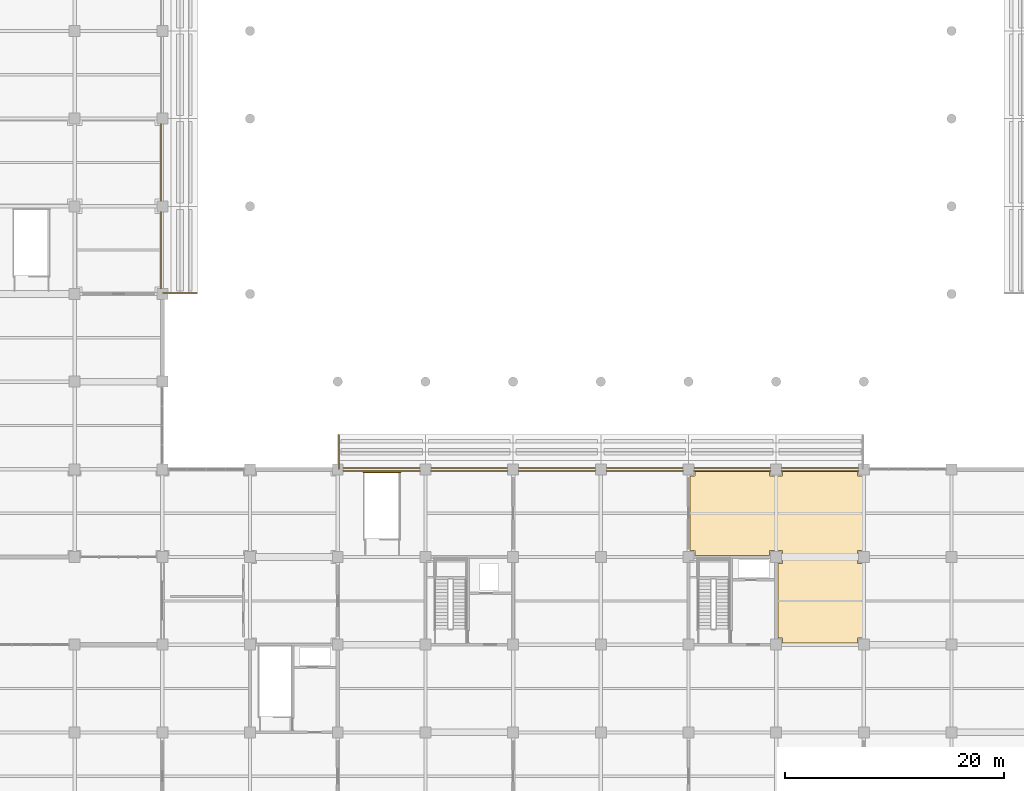
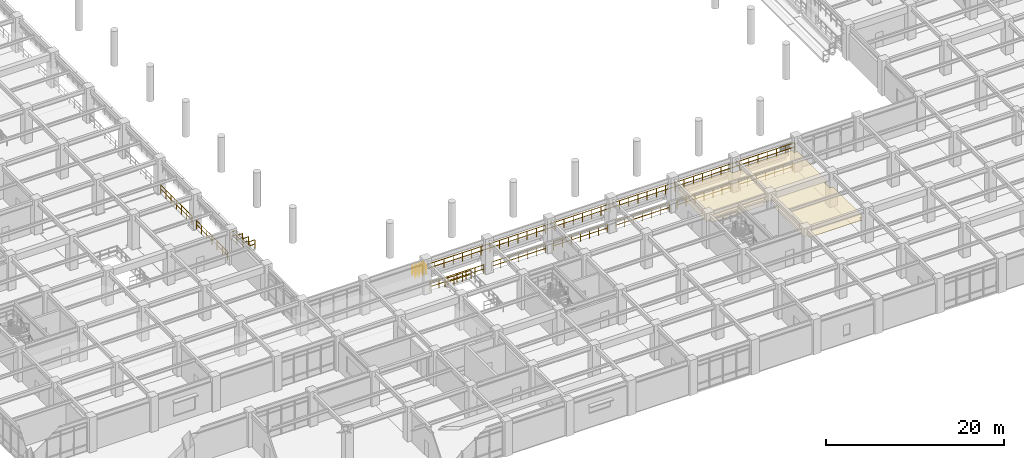
# One storey, part 101 of 117: 18 railings, 1 covering.
"""IFC4 building model written with IfcOpenShell, lengths in metres."""

from ifc_helpers import new_model, si_unit, direction, frame, origin, origin_2d, place, context, subcontext, project, spatial, polyline, circle, outline, extrude, material, layer, layer_set, type_object, element, save


model = new_model("IFC4")

# Units and contexts
model_context = context("Model", 3, precision=1e-05, world=origin(), true_north=direction((0.0, 1.0)))
body_context = subcontext(model_context, "Body", "Model", "MODEL_VIEW")
ifc_project = project(units=[si_unit("LENGTHUNIT", "METRE"), si_unit("AREAUNIT", "SQUARE_METRE"), si_unit("VOLUMEUNIT", "CUBIC_METRE"), si_unit("PLANEANGLEUNIT", "RADIAN"), si_unit("MASSUNIT", "GRAM", prefix="KILO")], contexts=[model_context])

# Site, building, storey
site_placement = place(None, origin())
site = spatial("IfcSite", under=ifc_project, at=site_placement, CompositionType="ELEMENT")
building_placement = place(site_placement, origin())
building = spatial("IfcBuilding", under=site, at=building_placement, Name="Haebicheon Civic Stadium", CompositionType="ELEMENT")
storey_placement = place(building_placement, frame((0.0, 0.0, 4.800048828125)))
storey = spatial("IfcBuildingStorey", under=building, at=storey_placement, Name="L02", CompositionType="ELEMENT", Elevation=4.800048828125)

# Covering
ifc_material_1 = material(Name="Perforated mineral-fibre acoustic board", Category="gypsum")
ifc_layer = layer(ifc_material_1, 0.0400390625, Name="Perforated mineral-fibre acoustic board")
ifc_layer_set = layer_set([ifc_layer], Name="Perforated mineral-fibre acoustic board")
covering_type = type_object("IfcCoveringType", Name="COV-CLG-AC", PredefinedType="CEILING", material=ifc_layer_set)
covering_placement = place(storey_placement, frame((0.0, 0.0, 2.81005859375)))
element("IfcCovering", 1, at=covering_placement, inside=storey, type_object=covering_type, material=ifc_layer_set, Name="L02 Food and Beverage Kiosk acoustic ceiling", PredefinedType="CEILING", context=body_context, shape_type="SweptSolid", body=[
    extrude(outline(polyline([(120.594970703125, 16.14501953125), (120.594970703125, 16.594970703125), (120.14501953125, 16.594970703125), (120.14501953125, 23.405029296875), (120.594970703125, 23.405029296875), (120.594970703125, 24.594970703125), (119.405029296875, 24.594970703125), (119.405029296875, 24.14501953125), (112.594970703125, 24.14501953125), (112.594970703125, 24.594970703125), (112.14501953125, 24.594970703125), (112.14501953125, 31.405029296875), (112.594970703125, 31.405029296875), (112.594970703125, 31.85498046875), (119.405029296875, 31.85498046875), (119.405029296875, 31.405029296875), (120.594970703125, 31.405029296875), (120.594970703125, 31.85498046875), (127.405029296875, 31.85498046875), (127.405029296875, 31.405029296875), (127.85498046875, 31.405029296875), (127.85498046875, 24.594970703125), (127.405029296875, 24.594970703125), (127.405029296875, 23.405029296875), (127.85498046875, 23.405029296875), (127.85498046875, 16.594970703125), (127.405029296875, 16.594970703125), (127.405029296875, 16.14501953125), (120.594970703125, 16.14501953125)])), origin(), (0.0, 0.0, 1.0), 0.039794921875),
])

# Railings
ifc_material_2 = material(Name="Stainless steel 316 and laminated glass", Category="steel")
railing_type_1 = type_object("IfcRailingType", Name="RL-BAL-1200", PredefinedType="BALUSTRADE", material=ifc_material_2)
for number, where, name in (
    (2, (63.860107421875, 48.5, 0.0), "L02 concourse bowl-edge balustrade 001"),
    (3, (63.860107421875, 56.5, 0.0), "L02 concourse bowl-edge balustrade 002"),
):
    element("IfcRailing", number, at=place(storey_placement, frame(where)), inside=storey, type_object=railing_type_1, material=ifc_material_2, Name=name, PredefinedType="BALUSTRADE", context=body_context, shape_type="SweptSolid", body=[
        extrude(circle(Radius=0.02392578125, at=origin_2d()), frame((0.0, 0.0, 1.17578125), z_axis=(0.0, 1.0, 0.0), x_axis=(-1.0, 0.0, 0.0)), (0.0, 0.0, 1.0), 7.0),
        extrude(circle(Radius=0.02392578125, at=origin_2d()), frame((0.0, 0.0, 0.60009765625), z_axis=(0.0, 1.0, 0.0), x_axis=(-1.0, 0.0, 0.0)), (0.0, 0.0, 1.0), 7.0),
        extrude(circle(Radius=0.02099609375, at=origin_2d()), origin(), (0.0, 0.0, 1.0), 1.15185546875),
        extrude(circle(Radius=0.02099609375, at=origin_2d()), frame((0.0, 1.166748046875, 0.0)), (0.0, 0.0, 1.0), 1.15185546875),
        extrude(circle(Radius=0.02099609375, at=origin_2d()), frame((0.0, 2.333251953125, 0.0)), (0.0, 0.0, 1.0), 1.15185546875),
        extrude(circle(Radius=0.02099609375, at=origin_2d()), frame((0.0, 3.5, 0.0)), (0.0, 0.0, 1.0), 1.15185546875),
        extrude(circle(Radius=0.02099609375, at=origin_2d()), frame((0.0, 4.666748046875, 0.0)), (0.0, 0.0, 1.0), 1.15185546875),
        extrude(circle(Radius=0.02099609375, at=origin_2d()), frame((0.0, 5.833251953125, 0.0)), (0.0, 0.0, 1.0), 1.15185546875),
        extrude(circle(Radius=0.02099609375, at=origin_2d()), frame((0.0, 7.0, 0.0)), (0.0, 0.0, 1.0), 1.15185546875),
    ])
for number, where, name in (
    (4, (80.5, 31.860107421875, 0.0), "L02 concourse bowl-edge balustrade 012"),
    (5, (88.5, 31.860107421875, 0.0), "L02 concourse bowl-edge balustrade 014"),
    (6, (96.5, 31.860107421875, 0.0), "L02 concourse bowl-edge balustrade 016"),
    (7, (104.5, 31.860107421875, 0.0), "L02 concourse bowl-edge balustrade 018"),
    (8, (112.5, 31.860107421875, 0.0), "L02 concourse bowl-edge balustrade 020"),
    (9, (120.5, 31.860107421875, 0.0), "L02 concourse bowl-edge balustrade 022"),
):
    element("IfcRailing", number, at=place(storey_placement, frame(where)), inside=storey, type_object=railing_type_1, material=ifc_material_2, Name=name, PredefinedType="BALUSTRADE", context=body_context, shape_type="SweptSolid", body=[
        extrude(circle(Radius=0.02392578125, at=origin_2d()), frame((0.0, 0.0, 1.17578125), z_axis=(1.0, 0.0, 0.0), x_axis=(0.0, 1.0, 0.0)), (0.0, 0.0, 1.0), 7.0),
        extrude(circle(Radius=0.02392578125, at=origin_2d()), frame((0.0, 0.0, 0.60009765625), z_axis=(1.0, 0.0, 0.0), x_axis=(0.0, 1.0, 0.0)), (0.0, 0.0, 1.0), 7.0),
        extrude(circle(Radius=0.02099609375, at=origin_2d()), origin(), (0.0, 0.0, 1.0), 1.15185546875),
        extrude(circle(Radius=0.02099609375, at=origin_2d()), frame((1.166748046875, 0.0, 0.0)), (0.0, 0.0, 1.0), 1.15185546875),
        extrude(circle(Radius=0.02099609375, at=origin_2d()), frame((2.333251953125, 0.0, 0.0)), (0.0, 0.0, 1.0), 1.15185546875),
        extrude(circle(Radius=0.02099609375, at=origin_2d()), frame((3.5, 0.0, 0.0)), (0.0, 0.0, 1.0), 1.15185546875),
        extrude(circle(Radius=0.02099609375, at=origin_2d()), frame((4.666748046875, 0.0, 0.0)), (0.0, 0.0, 1.0), 1.15185546875),
        extrude(circle(Radius=0.02099609375, at=origin_2d()), frame((5.833251953125, 0.0, 0.0)), (0.0, 0.0, 1.0), 1.15185546875),
        extrude(circle(Radius=0.02099609375, at=origin_2d()), frame((7.0, 0.0, 0.0)), (0.0, 0.0, 1.0), 1.15185546875),
    ])
railing_1_placement = place(storey_placement, frame((66.43994140625, 48.10009765625, 0.6669921875)))
element("IfcRailing", 10, at=railing_1_placement, inside=storey, type_object=railing_type_1, material=ifc_material_2, Name="TIER-W-L end-aisle side guard S.7", PredefinedType="BALUSTRADE", context=body_context, shape_type="SweptSolid", body=[
    extrude(circle(Radius=0.02392578125, at=origin_2d()), frame((0.0, 0.0, 1.17578125), z_axis=(1.0, 0.0, 0.0), x_axis=(0.0, 1.0, 0.0)), (0.0, 0.0, 1.0), 0.719970703125),
    extrude(circle(Radius=0.02392578125, at=origin_2d()), frame((0.0, 0.0, 0.60009765625), z_axis=(1.0, 0.0, 0.0), x_axis=(0.0, 1.0, 0.0)), (0.0, 0.0, 1.0), 0.719970703125),
    extrude(circle(Radius=0.02099609375, at=origin_2d()), origin(), (0.0, 0.0, 1.0), 1.15185546875),
    extrude(circle(Radius=0.02099609375, at=origin_2d()), frame((0.719970703125, 0.0, 0.0)), (0.0, 0.0, 1.0), 1.15185546875),
])
railing_2_placement = place(storey_placement, frame((65.639892578125, 48.10009765625, 1.3779296875)))
element("IfcRailing", 11, at=railing_2_placement, inside=storey, type_object=railing_type_1, material=ifc_material_2, Name="TIER-W-L end-aisle side guard S.8", PredefinedType="BALUSTRADE", context=body_context, shape_type="SweptSolid", body=[
    extrude(circle(Radius=0.02392578125, at=origin_2d()), frame((0.0, 0.0, 1.17578125), z_axis=(1.0, 0.0, 0.0), x_axis=(0.0, 1.0, 0.0)), (0.0, 0.0, 1.0), 0.72021484375),
    extrude(circle(Radius=0.02392578125, at=origin_2d()), frame((0.0, 0.0, 0.60009765625), z_axis=(1.0, 0.0, 0.0), x_axis=(0.0, 1.0, 0.0)), (0.0, 0.0, 1.0), 0.72021484375),
    extrude(circle(Radius=0.02099609375, at=origin_2d()), origin(), (0.0, 0.0, 1.0), 1.15185546875),
    extrude(circle(Radius=0.02099609375, at=origin_2d()), frame((0.72021484375, 0.0, 0.0)), (0.0, 0.0, 1.0), 1.15185546875),
])
for number, where, name in (
    (12, (64.840087890625, 48.10009765625, 2.0888671875), "TIER-W-L end-aisle side guard S.9"),
    (13, (64.0400390625, 48.10009765625, 2.800048828125), "TIER-W-L end-aisle side guard S.10"),
):
    element("IfcRailing", number, at=place(storey_placement, frame(where)), inside=storey, type_object=railing_type_1, material=ifc_material_2, Name=name, PredefinedType="BALUSTRADE", context=body_context, shape_type="SweptSolid", body=[
        extrude(circle(Radius=0.02392578125, at=origin_2d()), frame((0.0, 0.0, 1.17578125), z_axis=(1.0, 0.0, 0.0), x_axis=(0.0, 1.0, 0.0)), (0.0, 0.0, 1.0), 0.719970703125),
        extrude(circle(Radius=0.02392578125, at=origin_2d()), frame((0.0, 0.0, 0.60009765625), z_axis=(1.0, 0.0, 0.0), x_axis=(0.0, 1.0, 0.0)), (0.0, 0.0, 1.0), 0.719970703125),
        extrude(circle(Radius=0.02099609375, at=origin_2d()), origin(), (0.0, 0.0, 1.0), 1.15185546875),
        extrude(circle(Radius=0.02099609375, at=origin_2d()), frame((0.719970703125, 0.0, 0.0)), (0.0, 0.0, 1.0), 1.15185546875),
    ])
railing_3_placement = place(storey_placement, frame((80.06005859375, 32.1201171875, 2.39990234375)))
element("IfcRailing", 14, at=railing_3_placement, inside=storey, type_object=railing_type_1, material=ifc_material_2, Name="TIER-S-L upper gangway balustrade", PredefinedType="BALUSTRADE", context=body_context, shape_type="SweptSolid", body=[
    extrude(circle(Radius=0.02392578125, at=origin_2d()), frame((0.0, 0.0, 1.17578125), z_axis=(1.0, 0.0, 0.0), x_axis=(0.0, 1.0, 0.0)), (0.0, 0.0, 1.0), 47.8798828125),
    extrude(circle(Radius=0.02392578125, at=origin_2d()), frame((0.0, 0.0, 0.60009765625), z_axis=(1.0, 0.0, 0.0), x_axis=(0.0, 1.0, 0.0)), (0.0, 0.0, 1.0), 47.8798828125),
    extrude(circle(Radius=0.02099609375, at=origin_2d()), origin(), (0.0, 0.0, 1.0), 1.15185546875),
    extrude(circle(Radius=0.02099609375, at=origin_2d()), frame((1.197021484375, 0.0, 0.0)), (0.0, 0.0, 1.0), 1.15185546875),
    extrude(circle(Radius=0.02099609375, at=origin_2d()), frame((2.39404296875, 0.0, 0.0)), (0.0, 0.0, 1.0), 1.15185546875),
    extrude(circle(Radius=0.02099609375, at=origin_2d()), frame((3.591064453125, 0.0, 0.0)), (0.0, 0.0, 1.0), 1.15185546875),
    extrude(circle(Radius=0.02099609375, at=origin_2d()), frame((4.7880859375, 0.0, 0.0)), (0.0, 0.0, 1.0), 1.15185546875),
    extrude(circle(Radius=0.02099609375, at=origin_2d()), frame((5.98486328125, 0.0, 0.0)), (0.0, 0.0, 1.0), 1.15185546875),
    extrude(circle(Radius=0.02099609375, at=origin_2d()), frame((7.181884765625, 0.0, 0.0)), (0.0, 0.0, 1.0), 1.15185546875),
    extrude(circle(Radius=0.02099609375, at=origin_2d()), frame((8.37890625, 0.0, 0.0)), (0.0, 0.0, 1.0), 1.15185546875),
    extrude(circle(Radius=0.02099609375, at=origin_2d()), frame((9.575927734375, 0.0, 0.0)), (0.0, 0.0, 1.0), 1.15185546875),
    extrude(circle(Radius=0.02099609375, at=origin_2d()), frame((10.77294921875, 0.0, 0.0)), (0.0, 0.0, 1.0), 1.15185546875),
    extrude(circle(Radius=0.02099609375, at=origin_2d()), frame((11.969970703125, 0.0, 0.0)), (0.0, 0.0, 1.0), 1.15185546875),
    extrude(circle(Radius=0.02099609375, at=origin_2d()), frame((13.1669921875, 0.0, 0.0)), (0.0, 0.0, 1.0), 1.15185546875),
    extrude(circle(Radius=0.02099609375, at=origin_2d()), frame((14.364013671875, 0.0, 0.0)), (0.0, 0.0, 1.0), 1.15185546875),
    extrude(circle(Radius=0.02099609375, at=origin_2d()), frame((15.56103515625, 0.0, 0.0)), (0.0, 0.0, 1.0), 1.15185546875),
    extrude(circle(Radius=0.02099609375, at=origin_2d()), frame((16.758056640625, 0.0, 0.0)), (0.0, 0.0, 1.0), 1.15185546875),
    extrude(circle(Radius=0.02099609375, at=origin_2d()), frame((17.955078125, 0.0, 0.0)), (0.0, 0.0, 1.0), 1.15185546875),
    extrude(circle(Radius=0.02099609375, at=origin_2d()), frame((19.15185546875, 0.0, 0.0)), (0.0, 0.0, 1.0), 1.15185546875),
    extrude(circle(Radius=0.02099609375, at=origin_2d()), frame((20.348876953125, 0.0, 0.0)), (0.0, 0.0, 1.0), 1.15185546875),
    extrude(circle(Radius=0.02099609375, at=origin_2d()), frame((21.5458984375, 0.0, 0.0)), (0.0, 0.0, 1.0), 1.15185546875),
    extrude(circle(Radius=0.02099609375, at=origin_2d()), frame((22.742919921875, 0.0, 0.0)), (0.0, 0.0, 1.0), 1.15185546875),
    extrude(circle(Radius=0.02099609375, at=origin_2d()), frame((23.93994140625, 0.0, 0.0)), (0.0, 0.0, 1.0), 1.15185546875),
    extrude(circle(Radius=0.02099609375, at=origin_2d()), frame((25.136962890625, 0.0, 0.0)), (0.0, 0.0, 1.0), 1.15185546875),
    extrude(circle(Radius=0.02099609375, at=origin_2d()), frame((26.333984375, 0.0, 0.0)), (0.0, 0.0, 1.0), 1.15185546875),
    extrude(circle(Radius=0.02099609375, at=origin_2d()), frame((27.531005859375, 0.0, 0.0)), (0.0, 0.0, 1.0), 1.15185546875),
    extrude(circle(Radius=0.02099609375, at=origin_2d()), frame((28.72802734375, 0.0, 0.0)), (0.0, 0.0, 1.0), 1.15185546875),
    extrude(circle(Radius=0.02099609375, at=origin_2d()), frame((29.9248046875, 0.0, 0.0)), (0.0, 0.0, 1.0), 1.15185546875),
    extrude(circle(Radius=0.02099609375, at=origin_2d()), frame((31.121826171875, 0.0, 0.0)), (0.0, 0.0, 1.0), 1.15185546875),
    extrude(circle(Radius=0.02099609375, at=origin_2d()), frame((32.31884765625, 0.0, 0.0)), (0.0, 0.0, 1.0), 1.15185546875),
    extrude(circle(Radius=0.02099609375, at=origin_2d()), frame((33.515869140625, 0.0, 0.0)), (0.0, 0.0, 1.0), 1.15185546875),
    extrude(circle(Radius=0.02099609375, at=origin_2d()), frame((34.712890625, 0.0, 0.0)), (0.0, 0.0, 1.0), 1.15185546875),
    extrude(circle(Radius=0.02099609375, at=origin_2d()), frame((35.909912109375, 0.0, 0.0)), (0.0, 0.0, 1.0), 1.15185546875),
    extrude(circle(Radius=0.02099609375, at=origin_2d()), frame((37.10693359375, 0.0, 0.0)), (0.0, 0.0, 1.0), 1.15185546875),
    extrude(circle(Radius=0.02099609375, at=origin_2d()), frame((38.303955078125, 0.0, 0.0)), (0.0, 0.0, 1.0), 1.15185546875),
    extrude(circle(Radius=0.02099609375, at=origin_2d()), frame((39.5009765625, 0.0, 0.0)), (0.0, 0.0, 1.0), 1.15185546875),
    extrude(circle(Radius=0.02099609375, at=origin_2d()), frame((40.697998046875, 0.0, 0.0)), (0.0, 0.0, 1.0), 1.15185546875),
    extrude(circle(Radius=0.02099609375, at=origin_2d()), frame((41.89501953125, 0.0, 0.0)), (0.0, 0.0, 1.0), 1.15185546875),
    extrude(circle(Radius=0.02099609375, at=origin_2d()), frame((43.091796875, 0.0, 0.0)), (0.0, 0.0, 1.0), 1.15185546875),
    extrude(circle(Radius=0.02099609375, at=origin_2d()), frame((44.288818359375, 0.0, 0.0)), (0.0, 0.0, 1.0), 1.15185546875),
    extrude(circle(Radius=0.02099609375, at=origin_2d()), frame((45.48583984375, 0.0, 0.0)), (0.0, 0.0, 1.0), 1.15185546875),
    extrude(circle(Radius=0.02099609375, at=origin_2d()), frame((46.682861328125, 0.0, 0.0)), (0.0, 0.0, 1.0), 1.15185546875),
    extrude(circle(Radius=0.02099609375, at=origin_2d()), frame((47.8798828125, 0.0, 0.0)), (0.0, 0.0, 1.0), 1.15185546875),
])
railing_4_placement = place(storey_placement, frame((80.10009765625, 34.43994140625, 0.39990234375)))
element("IfcRailing", 15, at=railing_4_placement, inside=storey, type_object=railing_type_1, material=ifc_material_2, Name="TIER-S-L end-aisle side guard W.7", PredefinedType="BALUSTRADE", context=body_context, shape_type="SweptSolid", body=[
    extrude(circle(Radius=0.02392578125, at=origin_2d()), frame((0.0, 0.0, 1.17578125), z_axis=(0.0, 1.0, 0.0), x_axis=(-1.0, 0.0, 0.0)), (0.0, 0.0, 1.0), 0.719970703125),
    extrude(circle(Radius=0.02392578125, at=origin_2d()), frame((0.0, 0.0, 0.60009765625), z_axis=(0.0, 1.0, 0.0), x_axis=(-1.0, 0.0, 0.0)), (0.0, 0.0, 1.0), 0.719970703125),
    extrude(circle(Radius=0.02099609375, at=origin_2d()), origin(), (0.0, 0.0, 1.0), 1.15185546875),
    extrude(circle(Radius=0.02099609375, at=origin_2d()), frame((0.0, 0.719970703125, 0.0)), (0.0, 0.0, 1.0), 1.15185546875),
])
railing_5_placement = place(storey_placement, frame((80.10009765625, 33.639892578125, 1.06689453125)))
element("IfcRailing", 16, at=railing_5_placement, inside=storey, type_object=railing_type_1, material=ifc_material_2, Name="TIER-S-L end-aisle side guard W.8", PredefinedType="BALUSTRADE", context=body_context, shape_type="SweptSolid", body=[
    extrude(circle(Radius=0.02392578125, at=origin_2d()), frame((0.0, 0.0, 1.17578125), z_axis=(0.0, 1.0, 0.0), x_axis=(-1.0, 0.0, 0.0)), (0.0, 0.0, 1.0), 0.72021484375),
    extrude(circle(Radius=0.02392578125, at=origin_2d()), frame((0.0, 0.0, 0.60009765625), z_axis=(0.0, 1.0, 0.0), x_axis=(-1.0, 0.0, 0.0)), (0.0, 0.0, 1.0), 0.72021484375),
    extrude(circle(Radius=0.02099609375, at=origin_2d()), origin(), (0.0, 0.0, 1.0), 1.15185546875),
    extrude(circle(Radius=0.02099609375, at=origin_2d()), frame((0.0, 0.72021484375, 0.0)), (0.0, 0.0, 1.0), 1.15185546875),
])
for number, where, name in (
    (17, (80.10009765625, 32.840087890625, 1.73291015625), "TIER-S-L end-aisle side guard W.9"),
    (18, (80.10009765625, 32.0400390625, 2.39990234375), "TIER-S-L end-aisle side guard W.10"),
):
    element("IfcRailing", number, at=place(storey_placement, frame(where)), inside=storey, type_object=railing_type_1, material=ifc_material_2, Name=name, PredefinedType="BALUSTRADE", context=body_context, shape_type="SweptSolid", body=[
        extrude(circle(Radius=0.02392578125, at=origin_2d()), frame((0.0, 0.0, 1.17578125), z_axis=(0.0, 1.0, 0.0), x_axis=(-1.0, 0.0, 0.0)), (0.0, 0.0, 1.0), 0.719970703125),
        extrude(circle(Radius=0.02392578125, at=origin_2d()), frame((0.0, 0.0, 0.60009765625), z_axis=(0.0, 1.0, 0.0), x_axis=(-1.0, 0.0, 0.0)), (0.0, 0.0, 1.0), 0.719970703125),
        extrude(circle(Radius=0.02099609375, at=origin_2d()), origin(), (0.0, 0.0, 1.0), 1.15185546875),
        extrude(circle(Radius=0.02099609375, at=origin_2d()), frame((0.0, 0.719970703125, 0.0)), (0.0, 0.0, 1.0), 1.15185546875),
    ])
ifc_material_3 = material(Name="Galvanised painted steel SM355", Category="steel")
railing_type_2 = type_object("IfcRailingType", Name="RL-GRD-1150", PredefinedType="GUARDRAIL", material=ifc_material_3)
railing_6_placement = place(storey_placement, frame((85.739990234375, 31.699951171875, 0.0)))
element("IfcRailing", 19, at=railing_6_placement, inside=storey, type_object=railing_type_2, material=ifc_material_3, Name="L02 VM-10 top well guard 4", PredefinedType="GUARDRAIL", context=body_context, shape_type="SweptSolid", body=[
    extrude(circle(Radius=0.02392578125, at=origin_2d()), frame((0.0, 0.0, 1.1259765625), z_axis=(-1.0, 0.0, 0.0), x_axis=(0.0, -1.0, 0.0)), (0.0, 0.0, 1.0), 3.3798828125),
    extrude(circle(Radius=0.02392578125, at=origin_2d()), frame((0.0, 0.0, 0.574951171875), z_axis=(-1.0, 0.0, 0.0), x_axis=(0.0, -1.0, 0.0)), (0.0, 0.0, 1.0), 3.3798828125),
    extrude(circle(Radius=0.02099609375, at=origin_2d()), origin(), (0.0, 0.0, 1.0), 1.101806640625),
    extrude(circle(Radius=0.02099609375, at=origin_2d()), frame((-1.126708984375, 0.0, 0.0)), (0.0, 0.0, 1.0), 1.101806640625),
    extrude(circle(Radius=0.02099609375, at=origin_2d()), frame((-2.253173828125, 0.0, 0.0)), (0.0, 0.0, 1.0), 1.101806640625),
    extrude(circle(Radius=0.02099609375, at=origin_2d()), frame((-3.3798828125, 0.0, 0.0)), (0.0, 0.0, 1.0), 1.101806640625),
])

save(model, "model.ifc")
